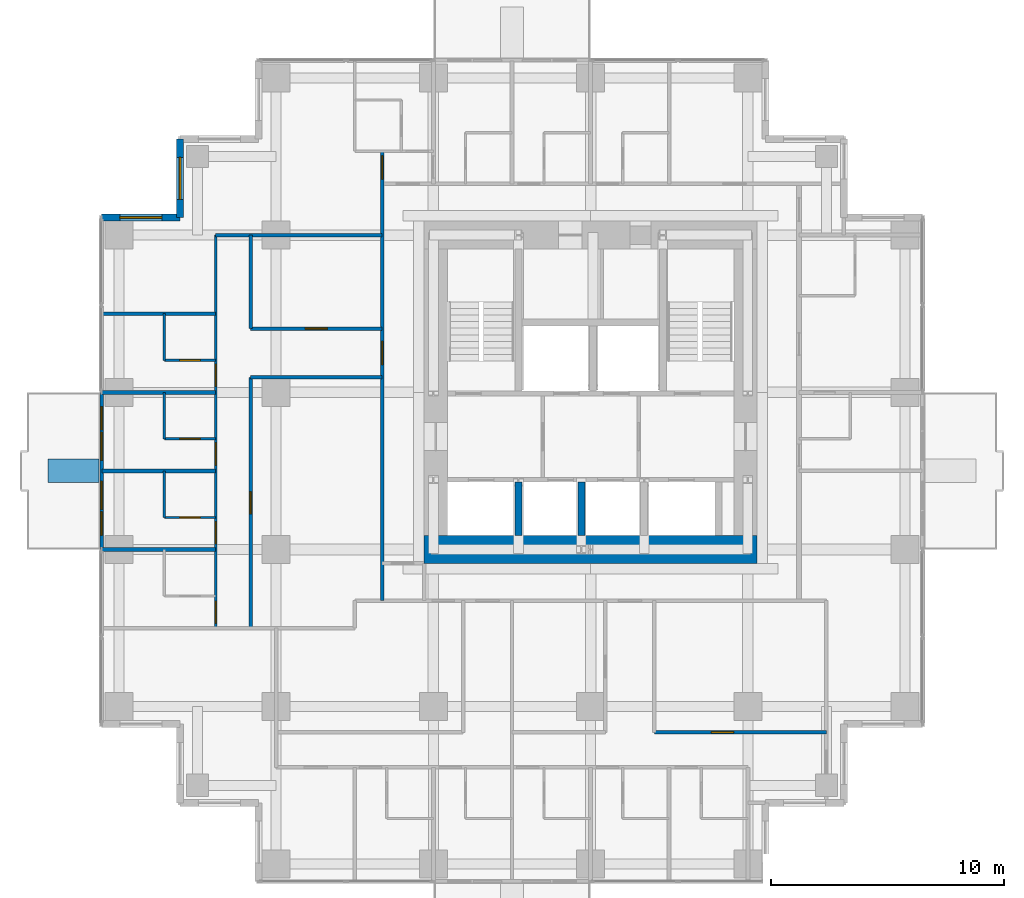
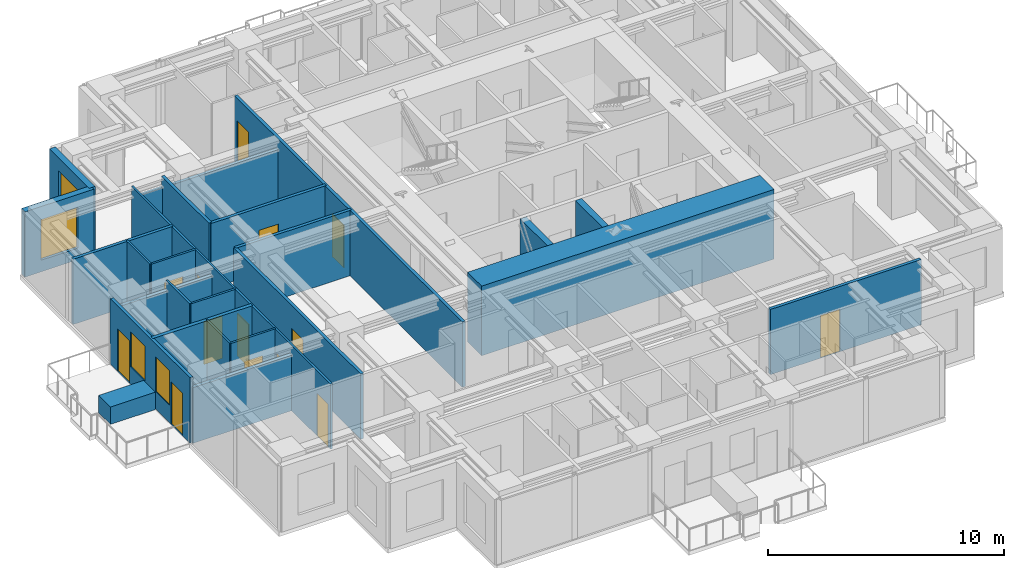
# One storey, part 6 of 10: 25 walls, 14 doors, 4 windows, 18 openings.
"""IFC4 building model written with IfcOpenShell, lengths in metres."""

from ifc_helpers import new_model, si_unit, direction, frame, frame_2d, origin, place, context, subcontext, project, spatial, rectangle, extrude, material, layer, layer_set, type_object, element, fill, save


model = new_model("IFC4")

# Units and contexts
model_context = context("Model", 3, precision=1e-05, world=origin(), true_north=direction((0.0, 1.0)))
body_context = subcontext(model_context, "Body", "Model", "MODEL_VIEW")
ifc_project = project(units=[si_unit("LENGTHUNIT", "METRE"), si_unit("AREAUNIT", "SQUARE_METRE"), si_unit("VOLUMEUNIT", "CUBIC_METRE"), si_unit("PLANEANGLEUNIT", "RADIAN"), si_unit("MASSUNIT", "GRAM", prefix="KILO")], contexts=[model_context])

# Site, building, storey
site_placement = place(None, origin())
site = spatial("IfcSite", under=ifc_project, at=site_placement, CompositionType="ELEMENT")
building_placement = place(site_placement, origin())
building = spatial("IfcBuilding", under=site, at=building_placement, Name="Nyansa Garden Tower", CompositionType="ELEMENT")
storey_placement = place(building_placement, frame((0.0, 0.0, 185.39990234375)))
storey = spatial("IfcBuildingStorey", under=building, at=storey_placement, Name="L50", CompositionType="ELEMENT", Elevation=185.39990234375)

# Walls
ifc_material_1 = material(Name="Dense blockwork, plastered both sides, 55 dB", Category="masonry")
ifc_layer_1 = layer(ifc_material_1, 0.175048828125)
ifc_layer_set_1 = layer_set([ifc_layer_1], Name="Acoustic party wall PW175")
wall_type_1 = type_object("IfcWallType", Name="Acoustic party wall PW175", PredefinedType="PARTITIONING", material=ifc_layer_set_1)
wall_1_placement = place(storey_placement, frame((-0.73388671875, 13.5, 0.0), z_axis=(0.0, 0.0, 1.0), x_axis=(1.0, 0.0, 0.0)))
element("IfcWall", 1, at=wall_1_placement, inside=storey, type_object=wall_type_1, Name="Party wall", PredefinedType="PARTITIONING", context=body_context, shape_type="SweptSolid", body=[
    extrude(rectangle(XDim=4.8837890625, YDim=0.175048828125, at=frame_2d((2.44189453125, 0.0))), origin(), (0.0, 0.0, 1.0), 2.877197265625),
])
wall_2_placement = place(storey_placement, frame((-0.73388671875, 16.875, 0.0), z_axis=(0.0, 0.0, 1.0), x_axis=(1.0, 0.0, 0.0)))
element("IfcWall", 2, at=wall_2_placement, inside=storey, type_object=wall_type_1, Name="Party wall", PredefinedType="PARTITIONING", context=body_context, shape_type="SweptSolid", body=[
    extrude(rectangle(XDim=4.8837890625, YDim=0.175048828125, at=frame_2d((2.44189453125, 0.0))), origin(), (0.0, 0.0, 1.0), 3.375),
])
wall_3_placement = place(storey_placement, frame((-0.73388671875, 20.25, 0.0), z_axis=(0.0, 0.0, 1.0), x_axis=(1.0, 0.0, 0.0)))
element("IfcWall", 3, at=wall_3_placement, inside=storey, type_object=wall_type_1, Name="Party wall", PredefinedType="PARTITIONING", context=body_context, shape_type="SweptSolid", body=[
    extrude(rectangle(XDim=4.8837890625, YDim=0.175048828125, at=frame_2d((2.44189453125, 0.0))), origin(), (0.0, 0.0, 1.0), 2.877197265625),
])

# Wall, openings, doors, windows
ifc_material_2 = material(Name="Black aluminium framed glazed screen", Category="aluminium")
ifc_layer_2 = layer(ifc_material_2, 0.14990234375)
ifc_layer_set_2 = layer_set([ifc_layer_2], Name="Balcony screen wall BW150")
wall_type_2 = type_object("IfcWallType", Name="Balcony screen wall BW150", PredefinedType="SOLIDWALL", material=ifc_layer_set_2)
wall_4_placement = place(storey_placement, frame((-0.75, 13.5, 0.0), z_axis=(0.0, 0.0, 1.0), x_axis=(0.0, 1.0, 0.0)))
wall_4 = element("IfcWall", 4, at=wall_4_placement, inside=storey, type_object=wall_type_2, Name="Glazed screen wall L50 W", PredefinedType="SOLIDWALL", context=body_context, shape_type="SweptSolid", body=[
    extrude(rectangle(XDim=6.75, YDim=0.14990234375, at=frame_2d((3.375, 0.0))), origin(), (0.0, 0.0, 1.0), 3.375),
])
opening_1_placement = place(wall_4_placement, frame((0.612548828125, 0.0, 0.0)))
opening_1 = element("IfcOpeningElement", 5, at=opening_1_placement, cuts=wall_4, Name="Opening D20", PredefinedType="OPENING", context=body_context, shape_type="SweptSolid", body=[
    extrude(rectangle(XDim=1.0, YDim=2.199951171875, at=frame_2d((0.5, 1.10009765625))), frame((0.0, 0.0849609375, 0.0), z_axis=(0.0, -1.0, 0.0), x_axis=(1.0, 0.0, 0.0)), (0.0, 0.0, 1.0), 0.169921875),
])
opening_2_placement = place(wall_4_placement, frame((1.72509765625, 0.0, 0.89990234375)))
opening_2 = element("IfcOpeningElement", 6, at=opening_2_placement, cuts=wall_4, Name="Opening W6", PredefinedType="OPENING", context=body_context, shape_type="SweptSolid", body=[
    extrude(rectangle(XDim=1.199951171875, YDim=1.800048828125, at=frame_2d((0.60009765625, 0.89990234375))), frame((0.0, 0.0849609375, 0.0), z_axis=(0.0, -1.0, 0.0), x_axis=(1.0, 0.0, 0.0)), (0.0, 0.0, 1.0), 0.169921875),
])
opening_3_placement = place(wall_4_placement, frame((5.137451171875, 0.0, 0.0)))
opening_3 = element("IfcOpeningElement", 7, at=opening_3_placement, cuts=wall_4, Name="Opening D20", PredefinedType="OPENING", context=body_context, shape_type="SweptSolid", body=[
    extrude(rectangle(XDim=1.0, YDim=2.199951171875, at=frame_2d((0.5, 1.10009765625))), frame((0.0, 0.0849609375, 0.0), z_axis=(0.0, -1.0, 0.0), x_axis=(1.0, 0.0, 0.0)), (0.0, 0.0, 1.0), 0.169921875),
])
opening_4_placement = place(wall_4_placement, frame((3.824951171875, 0.0, 0.89990234375)))
opening_4 = element("IfcOpeningElement", 8, at=opening_4_placement, cuts=wall_4, Name="Opening W6", PredefinedType="OPENING", context=body_context, shape_type="SweptSolid", body=[
    extrude(rectangle(XDim=1.199951171875, YDim=1.800048828125, at=frame_2d((0.60009765625, 0.89990234375))), frame((0.0, 0.0849609375, 0.0), z_axis=(0.0, -1.0, 0.0), x_axis=(1.0, 0.0, 0.0)), (0.0, 0.0, 1.0), 0.169921875),
])
ifc_material_3 = material(Name="Black aluminium framed glazed door", Category="aluminium")
door_type_1 = type_object("IfcDoorType", Name="Balcony door D20 1000x2200", OperationType="NOTDEFINED", PredefinedType="DOOR", material=ifc_material_3)
door_1_placement = place(opening_1_placement, origin())
door_1 = element("IfcDoor", 9, at=door_1_placement, inside=storey, type_object=door_type_1, Name="Balcony door L50", OperationType="SINGLE_SWING_LEFT", OverallHeight=2.199951171875, OverallWidth=1.0, PredefinedType="DOOR", context=body_context, shape_type="SweptSolid", body=[
    extrude(rectangle(XDim=1.0, YDim=2.199951171875, at=frame_2d((0.5, 1.10009765625))), frame((0.0, 0.02490234375, 0.0), z_axis=(0.0, -1.0, 0.0), x_axis=(1.0, 0.0, 0.0)), (0.0, 0.0, 1.0), 0.050048828125),
])
fill(opening_1, door_1)
door_2_placement = place(opening_3_placement, origin())
door_2 = element("IfcDoor", 10, at=door_2_placement, inside=storey, type_object=door_type_1, Name="Balcony door L50", OperationType="SINGLE_SWING_RIGHT", OverallHeight=2.199951171875, OverallWidth=1.0, PredefinedType="DOOR", context=body_context, shape_type="SweptSolid", body=[
    extrude(rectangle(XDim=1.0, YDim=2.199951171875, at=frame_2d((0.5, 1.10009765625))), frame((0.0, 0.02490234375, 0.0), z_axis=(0.0, -1.0, 0.0), x_axis=(1.0, 0.0, 0.0)), (0.0, 0.0, 1.0), 0.050048828125),
])
fill(opening_3, door_2)
ifc_material_4 = material(Name="Black aluminium frame, dark tinted double glazing", Category="aluminium")
window_type_1 = type_object("IfcWindowType", Name="Balcony window W6 1200x1800", PartitioningType="SINGLE_PANEL", PredefinedType="WINDOW", material=ifc_material_4)
window_1_placement = place(opening_2_placement, origin())
window_1 = element("IfcWindow", 11, at=window_1_placement, inside=storey, type_object=window_type_1, Name="Window L50", OverallHeight=1.800048828125, OverallWidth=1.199951171875, PartitioningType="SINGLE_PANEL", PredefinedType="WINDOW", context=body_context, shape_type="SweptSolid", body=[
    extrude(rectangle(XDim=1.199951171875, YDim=1.800048828125, at=frame_2d((0.60009765625, 0.89990234375))), frame((0.0, 0.030029296875, 0.0), z_axis=(0.0, -1.0, 0.0), x_axis=(1.0, 0.0, 0.0)), (0.0, 0.0, 1.0), 0.06005859375),
])
fill(opening_2, window_1)
window_2_placement = place(opening_4_placement, origin())
window_2 = element("IfcWindow", 12, at=window_2_placement, inside=storey, type_object=window_type_1, Name="Window L50", OverallHeight=1.800048828125, OverallWidth=1.199951171875, PartitioningType="SINGLE_PANEL", PredefinedType="WINDOW", context=body_context, shape_type="SweptSolid", body=[
    extrude(rectangle(XDim=1.199951171875, YDim=1.800048828125, at=frame_2d((0.60009765625, 0.89990234375))), frame((0.0, 0.030029296875, 0.0), z_axis=(0.0, -1.0, 0.0), x_axis=(1.0, 0.0, 0.0)), (0.0, 0.0, 1.0), 0.06005859375),
])
fill(opening_4, window_2)

# Walls
ifc_material_5 = material(Name="Concrete C70/85", Category="concrete")
ifc_layer_3 = layer(ifc_material_5, 0.300048828125)
ifc_layer_set_3 = layer_set([ifc_layer_3], Name="Core inner wall CI300")
wall_type_3 = type_object("IfcWallType", Name="Core inner wall CI300", PredefinedType="SHEAR", material=ifc_layer_set_3)
for number, where, z_axis, x_axis, name in (
    (13, (17.14990234375, 14.10009765625, 0.0), (0.0, 0.0, 1.0), (0.0, 1.0, 0.0), "Core inner wall L50"),
    (14, (19.85009765625, 14.10009765625, 0.0), (0.0, 0.0, 1.0), (0.0, 1.0, 0.0), "Core inner wall L50"),
):
    element("IfcWall", number, at=place(storey_placement, frame(where, z_axis=z_axis, x_axis=x_axis)), inside=storey, type_object=wall_type_3, Name=name, PredefinedType="SHEAR", context=body_context, shape_type="SweptSolid", body=[
        extrude(rectangle(XDim=2.2998046875, YDim=0.300048828125, at=frame_2d((1.14990234375, 0.0))), origin(), (0.0, 0.0, 1.0), 3.60009765625),
    ])
ifc_material_6 = material(Name="Concrete C80/95", Category="concrete")
ifc_layer_4 = layer(ifc_material_6, 1.199951171875)
ifc_layer_set_4 = layer_set([ifc_layer_4], Name="Core wall CW1200")
wall_type_4 = type_object("IfcWallType", Name="Core wall CW1200", PredefinedType="SHEAR", material=ifc_layer_set_4)
wall_5_placement = place(storey_placement, frame((13.10009765625, 13.5, 0.0), z_axis=(0.0, 0.0, 1.0), x_axis=(1.0, 0.0, 0.0)))
element("IfcWall", 15, at=wall_5_placement, inside=storey, type_object=wall_type_4, Name="Core wall S L50", PredefinedType="SHEAR", context=body_context, shape_type="SweptSolid", body=[
    extrude(rectangle(XDim=14.2998046875, YDim=1.199951171875, at=frame_2d((7.14990234375, 0.0))), origin(), (0.0, 0.0, 1.0), 3.60009765625),
])
ifc_material_7 = material(Name="Blockwork, plastered both sides", Category="masonry")
ifc_layer_5 = layer(ifc_material_7, 0.14990234375)
ifc_layer_set_5 = layer_set([ifc_layer_5], Name="Partition PW150")
wall_type_5 = type_object("IfcWallType", Name="Partition PW150", PredefinedType="PARTITIONING", material=ifc_layer_set_5)
wall_6_placement = place(storey_placement, frame((-0.73388671875, 23.625, 0.0), z_axis=(0.0, 0.0, 1.0), x_axis=(1.0, 0.0, 0.0)))
element("IfcWall", 16, at=wall_6_placement, inside=storey, type_object=wall_type_5, Name="Partition", PredefinedType="PARTITIONING", context=body_context, shape_type="SweptSolid", body=[
    extrude(rectangle(XDim=4.8837890625, YDim=0.14990234375, at=frame_2d((2.44189453125, 0.0))), origin(), (0.0, 0.0, 1.0), 3.375),
])
wall_7_placement = place(storey_placement, frame((4.14990234375, 27.0, 0.0), z_axis=(0.0, 0.0, 1.0), x_axis=(1.0, 0.0, 0.0)))
element("IfcWall", 17, at=wall_7_placement, inside=storey, type_object=wall_type_5, Name="Partition", PredefinedType="PARTITIONING", context=body_context, shape_type="SweptSolid", body=[
    extrude(rectangle(XDim=7.150146484375, YDim=0.14990234375, at=frame_2d((3.5751953125, 0.0))), origin(), (0.0, 0.0, 1.0), 2.80615234375),
])

# Wall, opening, door
wall_8_placement = place(storey_placement, frame((5.64990234375, 10.125, 0.0), z_axis=(0.0, 0.0, 1.0), x_axis=(0.0, 1.0, 0.0)))
wall_8 = element("IfcWall", 18, at=wall_8_placement, inside=storey, type_object=wall_type_5, Name="Partition", PredefinedType="PARTITIONING", context=body_context, shape_type="SweptSolid", body=[
    extrude(rectangle(XDim=10.762451171875, YDim=0.14990234375, at=frame_2d((5.38134765625, 0.0))), origin(), (0.0, 0.0, 1.0), 3.375),
])
opening_5_placement = place(wall_8_placement, frame((4.89990234375, 0.0, 0.0)))
opening_5 = element("IfcOpeningElement", 19, at=opening_5_placement, cuts=wall_8, Name="Opening D01", PredefinedType="OPENING", context=body_context, shape_type="SweptSolid", body=[
    extrude(rectangle(XDim=0.949951171875, YDim=2.199951171875, at=frame_2d((0.47509765625, 1.10009765625))), frame((0.0, 0.0849609375, 0.0), z_axis=(0.0, -1.0, 0.0), x_axis=(1.0, 0.0, 0.0)), (0.0, 0.0, 1.0), 0.169921875),
])
ifc_material_8 = material(Name="Timber flush door, 30 minute fire resisting", Category="wood")
door_type_2 = type_object("IfcDoorType", Name="Bedroom door D01 950x2200", OperationType="SINGLE_SWING_LEFT", PredefinedType="DOOR", material=ifc_material_8)
door_3_placement = place(opening_5_placement, origin())
door_3 = element("IfcDoor", 20, at=door_3_placement, inside=storey, type_object=door_type_2, Name="Door L50-059", OperationType="SINGLE_SWING_LEFT", OverallHeight=2.199951171875, OverallWidth=0.949951171875, PredefinedType="DOOR", context=body_context, shape_type="SweptSolid", body=[
    extrude(rectangle(XDim=0.949951171875, YDim=2.199951171875, at=frame_2d((0.47509765625, 1.10009765625))), frame((0.0, 0.02490234375, 0.0), z_axis=(0.0, -1.0, 0.0), x_axis=(1.0, 0.0, 0.0)), (0.0, 0.0, 1.0), 0.050048828125),
])
fill(opening_5, door_3)

# Walls
wall_9_placement = place(storey_placement, frame((5.64990234375, 20.886962890625, 0.0), z_axis=(0.0, 0.0, 1.0), x_axis=(1.0, 0.0, 0.0)))
element("IfcWall", 21, at=wall_9_placement, inside=storey, type_object=wall_type_5, Name="Partition", PredefinedType="PARTITIONING", context=body_context, shape_type="SweptSolid", body=[
    extrude(rectangle(XDim=5.650146484375, YDim=0.14990234375, at=frame_2d((2.8251953125, 0.0))), origin(), (0.0, 0.0, 1.0), 3.375),
])
wall_10_placement = place(storey_placement, frame((5.64990234375, 22.987548828125, 0.0), z_axis=(0.0, 0.0, 1.0), x_axis=(0.0, 1.0, 0.0)))
element("IfcWall", 22, at=wall_10_placement, inside=storey, type_object=wall_type_5, Name="Partition", PredefinedType="PARTITIONING", context=body_context, shape_type="SweptSolid", body=[
    extrude(rectangle(XDim=4.012451171875, YDim=0.14990234375, at=frame_2d((2.00634765625, 0.0))), origin(), (0.0, 0.0, 1.0), 3.375),
])

# Wall, opening, door
wall_11_placement = place(storey_placement, frame((5.64990234375, 22.988037109375, 0.0), z_axis=(0.0, 0.0, 1.0), x_axis=(1.0, 0.0, 0.0)))
wall_11 = element("IfcWall", 23, at=wall_11_placement, inside=storey, type_object=wall_type_5, Name="Partition", PredefinedType="PARTITIONING", context=body_context, shape_type="SweptSolid", body=[
    extrude(rectangle(XDim=5.650146484375, YDim=0.14990234375, at=frame_2d((2.8251953125, 0.0))), origin(), (0.0, 0.0, 1.0), 3.375),
])
opening_6_placement = place(wall_11_placement, frame((2.35009765625, 0.0, 0.0)))
opening_6 = element("IfcOpeningElement", 24, at=opening_6_placement, cuts=wall_11, Name="Opening D01", PredefinedType="OPENING", context=body_context, shape_type="SweptSolid", body=[
    extrude(rectangle(XDim=0.949951171875, YDim=2.199951171875, at=frame_2d((0.47509765625, 1.10009765625))), frame((0.0, 0.0849609375, 0.0), z_axis=(0.0, -1.0, 0.0), x_axis=(1.0, 0.0, 0.0)), (0.0, 0.0, 1.0), 0.169921875),
])
door_4_placement = place(opening_6_placement, origin())
door_4 = element("IfcDoor", 25, at=door_4_placement, inside=storey, type_object=door_type_2, Name="Door L50-060", OperationType="SINGLE_SWING_LEFT", OverallHeight=2.199951171875, OverallWidth=0.949951171875, PredefinedType="DOOR", context=body_context, shape_type="SweptSolid", body=[
    extrude(rectangle(XDim=0.949951171875, YDim=2.199951171875, at=frame_2d((0.47509765625, 1.10009765625))), frame((0.0, 0.02490234375, 0.0), z_axis=(0.0, -1.0, 0.0), x_axis=(1.0, 0.0, 0.0)), (0.0, 0.0, 1.0), 0.050048828125),
])
fill(opening_6, door_4)

# Wall, openings, doors
wall_12_placement = place(storey_placement, frame((11.300048828125, 11.300048828125, 0.0), z_axis=(0.0, 0.0, 1.0), x_axis=(0.0, 1.0, 0.0)))
wall_12 = element("IfcWall", 26, at=wall_12_placement, inside=storey, type_object=wall_type_5, Name="Partition", PredefinedType="PARTITIONING", context=body_context, shape_type="SweptSolid", body=[
    extrude(rectangle(XDim=19.300048828125, YDim=0.14990234375, at=frame_2d((9.64990234375, 0.0))), origin(), (0.0, 0.0, 1.0), 3.375),
])
opening_7_placement = place(wall_12_placement, frame((18.10009765625, 0.0, 0.0)))
opening_7 = element("IfcOpeningElement", 27, at=opening_7_placement, cuts=wall_12, Name="Opening D03", PredefinedType="OPENING", context=body_context, shape_type="SweptSolid", body=[
    extrude(rectangle(XDim=1.0, YDim=2.199951171875, at=frame_2d((0.5, 1.10009765625))), frame((0.0, 0.0849609375, 0.0), z_axis=(0.0, -1.0, 0.0), x_axis=(1.0, 0.0, 0.0)), (0.0, 0.0, 1.0), 0.169921875),
])
opening_8_placement = place(wall_12_placement, frame((10.137451171875, 0.0, 0.0)))
opening_8 = element("IfcOpeningElement", 28, at=opening_8_placement, cuts=wall_12, Name="Opening D03", PredefinedType="OPENING", context=body_context, shape_type="SweptSolid", body=[
    extrude(rectangle(XDim=1.0, YDim=2.199951171875, at=frame_2d((0.5, 1.10009765625))), frame((0.0, 0.0849609375, 0.0), z_axis=(0.0, -1.0, 0.0), x_axis=(1.0, 0.0, 0.0)), (0.0, 0.0, 1.0), 0.169921875),
])
ifc_material_9 = material(Name="Timber flush door, 60 minute fire resisting", Category="wood")
door_type_3 = type_object("IfcDoorType", Name="Cluster entrance door D03 1000x2200", OperationType="SINGLE_SWING_LEFT", PredefinedType="DOOR", material=ifc_material_9)
door_5_placement = place(opening_7_placement, origin())
door_5 = element("IfcDoor", 29, at=door_5_placement, inside=storey, type_object=door_type_3, Name="Door L50-049", OperationType="SINGLE_SWING_LEFT", OverallHeight=2.199951171875, OverallWidth=1.0, PredefinedType="DOOR", context=body_context, shape_type="SweptSolid", body=[
    extrude(rectangle(XDim=1.0, YDim=2.199951171875, at=frame_2d((0.5, 1.10009765625))), frame((0.0, 0.02490234375, 0.0), z_axis=(0.0, -1.0, 0.0), x_axis=(1.0, 0.0, 0.0)), (0.0, 0.0, 1.0), 0.050048828125),
])
fill(opening_7, door_5)
door_6_placement = place(opening_8_placement, origin())
door_6 = element("IfcDoor", 30, at=door_6_placement, inside=storey, type_object=door_type_3, Name="Door L50-058", OperationType="SINGLE_SWING_LEFT", OverallHeight=2.199951171875, OverallWidth=1.0, PredefinedType="DOOR", context=body_context, shape_type="SweptSolid", body=[
    extrude(rectangle(XDim=1.0, YDim=2.199951171875, at=frame_2d((0.5, 1.10009765625))), frame((0.0, 0.02490234375, 0.0), z_axis=(0.0, -1.0, 0.0), x_axis=(1.0, 0.0, 0.0)), (0.0, 0.0, 1.0), 0.050048828125),
])
fill(opening_8, door_6)

# Wall, opening, door
wall_13_placement = place(storey_placement, frame((22.987548828125, 5.64990234375, 0.0), z_axis=(0.0, 0.0, 1.0), x_axis=(1.0, 0.0, 0.0)))
wall_13 = element("IfcWall", 31, at=wall_13_placement, inside=storey, type_object=wall_type_5, Name="Partition", PredefinedType="PARTITIONING", context=body_context, shape_type="SweptSolid", body=[
    extrude(rectangle(XDim=7.387451171875, YDim=0.14990234375, at=frame_2d((3.69384765625, 0.0))), origin(), (0.0, 0.0, 1.0), 3.375),
])
opening_9_placement = place(wall_13_placement, frame((2.449951171875, 0.0, 0.0)))
opening_9 = element("IfcOpeningElement", 32, at=opening_9_placement, cuts=wall_13, Name="Opening D01", PredefinedType="OPENING", context=body_context, shape_type="SweptSolid", body=[
    extrude(rectangle(XDim=0.949951171875, YDim=2.199951171875, at=frame_2d((0.47509765625, 1.10009765625))), frame((0.0, 0.0849609375, 0.0), z_axis=(0.0, -1.0, 0.0), x_axis=(1.0, 0.0, 0.0)), (0.0, 0.0, 1.0), 0.169921875),
])
door_7_placement = place(opening_9_placement, origin())
door_7 = element("IfcDoor", 33, at=door_7_placement, inside=storey, type_object=door_type_2, Name="Door L50-032", OperationType="SINGLE_SWING_LEFT", OverallHeight=2.199951171875, OverallWidth=0.949951171875, PredefinedType="DOOR", context=body_context, shape_type="SweptSolid", body=[
    extrude(rectangle(XDim=0.949951171875, YDim=2.199951171875, at=frame_2d((0.47509765625, 1.10009765625))), frame((0.0, 0.02490234375, 0.0), z_axis=(0.0, -1.0, 0.0), x_axis=(1.0, 0.0, 0.0)), (0.0, 0.0, 1.0), 0.050048828125),
])
fill(opening_9, door_7)

# Wall, opening, window
ifc_material_10 = material(Name="Turquoise glazed tile on concrete blockwork", Category="masonry")
ifc_layer_6 = layer(ifc_material_10, 0.300048828125)
ifc_layer_set_6 = layer_set([ifc_layer_6], Name="Tiled corner wall TW300")
wall_type_6 = type_object("IfcWallType", Name="Tiled corner wall TW300", PredefinedType="SOLIDWALL", material=ifc_layer_set_6)
wall_14_placement = place(storey_placement, frame((2.625, 31.125, 0.0), z_axis=(0.0, 0.0, 1.0), x_axis=(0.0, -1.0, 0.0)))
wall_14 = element("IfcWall", 34, at=wall_14_placement, inside=storey, type_object=wall_type_6, Name="Tiled corner wall L50", PredefinedType="SOLIDWALL", context=body_context, shape_type="SweptSolid", body=[
    extrude(rectangle(XDim=3.375, YDim=0.300048828125, at=frame_2d((1.6875, 0.0))), origin(), (0.0, 0.0, 1.0), 3.375),
])
opening_10_placement = place(wall_14_placement, frame((0.78759765625, 0.0, 0.60009765625)))
opening_10 = element("IfcOpeningElement", 35, at=opening_10_placement, cuts=wall_14, Name="Opening W2", PredefinedType="OPENING", context=body_context, shape_type="SweptSolid", body=[
    extrude(rectangle(XDim=1.800048828125, YDim=2.10009765625, at=frame_2d((0.89990234375, 1.050048828125))), frame((0.0, 0.159912109375, 0.0), z_axis=(0.0, -1.0, 0.0), x_axis=(1.0, 0.0, 0.0)), (0.0, 0.0, 1.0), 0.320068359375),
])
ifc_material_11 = material(Name="Black aluminium frame, dark tinted double glazing", Category="aluminium")
window_type_2 = type_object("IfcWindowType", Name="Window W2 1800x2100", PartitioningType="SINGLE_PANEL", PredefinedType="WINDOW", material=ifc_material_11)
window_3_placement = place(opening_10_placement, origin())
window_3 = element("IfcWindow", 36, at=window_3_placement, inside=storey, type_object=window_type_2, Name="Corner window L50", OverallHeight=2.10009765625, OverallWidth=1.800048828125, PartitioningType="SINGLE_PANEL", PredefinedType="WINDOW", context=body_context, shape_type="SweptSolid", body=[
    extrude(rectangle(XDim=1.800048828125, YDim=2.10009765625, at=frame_2d((0.89990234375, 1.050048828125))), frame((0.0, 0.030029296875, 0.0), z_axis=(0.0, -1.0, 0.0), x_axis=(1.0, 0.0, 0.0)), (0.0, 0.0, 1.0), 0.06005859375),
])
fill(opening_10, window_3)

wall_15_placement = place(storey_placement, frame((2.625, 27.75, 0.0), z_axis=(0.0, 0.0, 1.0), x_axis=(-1.0, 0.0, 0.0)))
wall_15 = element("IfcWall", 37, at=wall_15_placement, inside=storey, type_object=wall_type_6, Name="Tiled corner wall L50", PredefinedType="SOLIDWALL", context=body_context, shape_type="SweptSolid", body=[
    extrude(rectangle(XDim=3.375, YDim=0.300048828125, at=frame_2d((1.6875, 0.0))), origin(), (0.0, 0.0, 1.0), 3.375),
])
opening_11_placement = place(wall_15_placement, frame((0.78759765625, 0.0, 0.60009765625)))
opening_11 = element("IfcOpeningElement", 38, at=opening_11_placement, cuts=wall_15, Name="Opening W2", PredefinedType="OPENING", context=body_context, shape_type="SweptSolid", body=[
    extrude(rectangle(XDim=1.800048828125, YDim=2.10009765625, at=frame_2d((0.89990234375, 1.050048828125))), frame((0.0, 0.159912109375, 0.0), z_axis=(0.0, -1.0, 0.0), x_axis=(1.0, 0.0, 0.0)), (0.0, 0.0, 1.0), 0.320068359375),
])
window_4_placement = place(opening_11_placement, origin())
window_4 = element("IfcWindow", 39, at=window_4_placement, inside=storey, type_object=window_type_2, Name="Corner window L50", OverallHeight=2.10009765625, OverallWidth=1.800048828125, PartitioningType="SINGLE_PANEL", PredefinedType="WINDOW", context=body_context, shape_type="SweptSolid", body=[
    extrude(rectangle(XDim=1.800048828125, YDim=2.10009765625, at=frame_2d((0.89990234375, 1.050048828125))), frame((0.0, 0.030029296875, 0.0), z_axis=(0.0, -1.0, 0.0), x_axis=(1.0, 0.0, 0.0)), (0.0, 0.0, 1.0), 0.06005859375),
])
fill(opening_11, window_4)

# Walls
ifc_material_12 = material(Name="Concrete C40/50 planter, waterproofed", Category="concrete")
ifc_layer_7 = layer(ifc_material_12, 1.0)
ifc_layer_set_7 = layer_set([ifc_layer_7], Name="Tree planter TP1")
wall_type_7 = type_object("IfcWallType", Name="Tree planter TP1", PredefinedType="USERDEFINED", material=ifc_layer_set_7)
wall_16_placement = place(storey_placement, frame((-0.85009765625, 16.875, 0.0), z_axis=(0.0, 0.0, 1.0), x_axis=(-1.0, 0.0, 0.0)))
element("IfcWall", 40, at=wall_16_placement, inside=storey, type_object=wall_type_7, Name="Tree planter L50", ObjectType="TREE PLANTER", PredefinedType="USERDEFINED", context=body_context, shape_type="SweptSolid", body=[
    extrude(rectangle(XDim=2.199951171875, YDim=1.0, at=frame_2d((1.10009765625, 0.0))), origin(), (0.0, 0.0, 1.0), 0.900146484375),
])
ifc_material_13 = material(Name="Moisture resistant board on steel studs, tiled", Category="steel")
ifc_layer_8 = layer(ifc_material_13, 0.10009765625)
ifc_layer_set_8 = layer_set([ifc_layer_8], Name="Wet wall PW100")
wall_type_8 = type_object("IfcWallType", Name="Wet wall PW100", PredefinedType="PARTITIONING", material=ifc_layer_set_8)
wall_17_placement = place(storey_placement, frame((1.949951171875, 14.875, 0.0), z_axis=(0.0, 0.0, 1.0), x_axis=(0.0, 1.0, 0.0)))
element("IfcWall", 41, at=wall_17_placement, inside=storey, type_object=wall_type_8, Name="Wet wall", PredefinedType="PARTITIONING", context=body_context, shape_type="SweptSolid", body=[
    extrude(rectangle(XDim=2.0, YDim=0.10009765625, at=frame_2d((1.0, 0.0))), origin(), (0.0, 0.0, 1.0), 3.375),
])

# Wall, opening, door
wall_18_placement = place(storey_placement, frame((1.949951171875, 14.875, 0.0), z_axis=(0.0, 0.0, 1.0), x_axis=(1.0, 0.0, 0.0)))
wall_18 = element("IfcWall", 42, at=wall_18_placement, inside=storey, type_object=wall_type_8, Name="Wet wall", PredefinedType="PARTITIONING", context=body_context, shape_type="SweptSolid", body=[
    extrude(rectangle(XDim=2.199951171875, YDim=0.10009765625, at=frame_2d((1.10009765625, 0.0))), origin(), (0.0, 0.0, 1.0), 3.375),
])
opening_12_placement = place(wall_18_placement, frame((0.64990234375, 0.0, 0.0)))
opening_12 = element("IfcOpeningElement", 43, at=opening_12_placement, cuts=wall_18, Name="Opening D02", PredefinedType="OPENING", context=body_context, shape_type="SweptSolid", body=[
    extrude(rectangle(XDim=0.89990234375, YDim=2.199951171875, at=frame_2d((0.449951171875, 1.10009765625))), frame((0.0, 0.06005859375, 0.0), z_axis=(0.0, -1.0, 0.0), x_axis=(1.0, 0.0, 0.0)), (0.0, 0.0, 1.0), 0.1201171875),
])
ifc_material_14 = material(Name="Timber flush door", Category="wood")
door_type_4 = type_object("IfcDoorType", Name="En-suite door D02 900x2200", OperationType="SINGLE_SWING_RIGHT", PredefinedType="DOOR", material=ifc_material_14)
door_8_placement = place(opening_12_placement, origin())
door_8 = element("IfcDoor", 44, at=door_8_placement, inside=storey, type_object=door_type_4, Name="Door L50-053", OperationType="SINGLE_SWING_RIGHT", OverallHeight=2.199951171875, OverallWidth=0.89990234375, PredefinedType="DOOR", context=body_context, shape_type="SweptSolid", body=[
    extrude(rectangle(XDim=0.89990234375, YDim=2.199951171875, at=frame_2d((0.449951171875, 1.10009765625))), frame((0.0, 0.02490234375, 0.0), z_axis=(0.0, -1.0, 0.0), x_axis=(1.0, 0.0, 0.0)), (0.0, 0.0, 1.0), 0.050048828125),
])
fill(opening_12, door_8)

# Wall
wall_19_placement = place(storey_placement, frame((1.949951171875, 18.25, 0.0), z_axis=(0.0, 0.0, 1.0), x_axis=(0.0, 1.0, 0.0)))
element("IfcWall", 45, at=wall_19_placement, inside=storey, type_object=wall_type_8, Name="Wet wall", PredefinedType="PARTITIONING", context=body_context, shape_type="SweptSolid", body=[
    extrude(rectangle(XDim=2.0, YDim=0.10009765625, at=frame_2d((1.0, 0.0))), origin(), (0.0, 0.0, 1.0), 3.375),
])

# Wall, opening, door
wall_20_placement = place(storey_placement, frame((1.949951171875, 18.25, 0.0), z_axis=(0.0, 0.0, 1.0), x_axis=(1.0, 0.0, 0.0)))
wall_20 = element("IfcWall", 46, at=wall_20_placement, inside=storey, type_object=wall_type_8, Name="Wet wall", PredefinedType="PARTITIONING", context=body_context, shape_type="SweptSolid", body=[
    extrude(rectangle(XDim=2.199951171875, YDim=0.10009765625, at=frame_2d((1.10009765625, 0.0))), origin(), (0.0, 0.0, 1.0), 3.375),
])
opening_13_placement = place(wall_20_placement, frame((0.64990234375, 0.0, 0.0)))
opening_13 = element("IfcOpeningElement", 47, at=opening_13_placement, cuts=wall_20, Name="Opening D02", PredefinedType="OPENING", context=body_context, shape_type="SweptSolid", body=[
    extrude(rectangle(XDim=0.89990234375, YDim=2.199951171875, at=frame_2d((0.449951171875, 1.10009765625))), frame((0.0, 0.06005859375, 0.0), z_axis=(0.0, -1.0, 0.0), x_axis=(1.0, 0.0, 0.0)), (0.0, 0.0, 1.0), 0.1201171875),
])
door_9_placement = place(opening_13_placement, origin())
door_9 = element("IfcDoor", 48, at=door_9_placement, inside=storey, type_object=door_type_4, Name="Door L50-055", OperationType="SINGLE_SWING_RIGHT", OverallHeight=2.199951171875, OverallWidth=0.89990234375, PredefinedType="DOOR", context=body_context, shape_type="SweptSolid", body=[
    extrude(rectangle(XDim=0.89990234375, YDim=2.199951171875, at=frame_2d((0.449951171875, 1.10009765625))), frame((0.0, 0.02490234375, 0.0), z_axis=(0.0, -1.0, 0.0), x_axis=(1.0, 0.0, 0.0)), (0.0, 0.0, 1.0), 0.050048828125),
])
fill(opening_13, door_9)

# Wall
wall_21_placement = place(storey_placement, frame((1.949951171875, 21.625, 0.0), z_axis=(0.0, 0.0, 1.0), x_axis=(0.0, 1.0, 0.0)))
element("IfcWall", 49, at=wall_21_placement, inside=storey, type_object=wall_type_8, Name="Wet wall", PredefinedType="PARTITIONING", context=body_context, shape_type="SweptSolid", body=[
    extrude(rectangle(XDim=2.0, YDim=0.10009765625, at=frame_2d((1.0, 0.0))), origin(), (0.0, 0.0, 1.0), 3.375),
])

# Wall, opening, door
wall_22_placement = place(storey_placement, frame((1.949951171875, 21.625, 0.0), z_axis=(0.0, 0.0, 1.0), x_axis=(1.0, 0.0, 0.0)))
wall_22 = element("IfcWall", 50, at=wall_22_placement, inside=storey, type_object=wall_type_8, Name="Wet wall", PredefinedType="PARTITIONING", context=body_context, shape_type="SweptSolid", body=[
    extrude(rectangle(XDim=2.199951171875, YDim=0.10009765625, at=frame_2d((1.10009765625, 0.0))), origin(), (0.0, 0.0, 1.0), 3.375),
])
opening_14_placement = place(wall_22_placement, frame((0.64990234375, 0.0, 0.0)))
opening_14 = element("IfcOpeningElement", 51, at=opening_14_placement, cuts=wall_22, Name="Opening D02", PredefinedType="OPENING", context=body_context, shape_type="SweptSolid", body=[
    extrude(rectangle(XDim=0.89990234375, YDim=2.199951171875, at=frame_2d((0.449951171875, 1.10009765625))), frame((0.0, 0.06005859375, 0.0), z_axis=(0.0, -1.0, 0.0), x_axis=(1.0, 0.0, 0.0)), (0.0, 0.0, 1.0), 0.1201171875),
])
door_10_placement = place(opening_14_placement, origin())
door_10 = element("IfcDoor", 52, at=door_10_placement, inside=storey, type_object=door_type_4, Name="Door L50-057", OperationType="SINGLE_SWING_RIGHT", OverallHeight=2.199951171875, OverallWidth=0.89990234375, PredefinedType="DOOR", context=body_context, shape_type="SweptSolid", body=[
    extrude(rectangle(XDim=0.89990234375, YDim=2.199951171875, at=frame_2d((0.449951171875, 1.10009765625))), frame((0.0, 0.02490234375, 0.0), z_axis=(0.0, -1.0, 0.0), x_axis=(1.0, 0.0, 0.0)), (0.0, 0.0, 1.0), 0.050048828125),
])
fill(opening_14, door_10)

# Wall, openings, doors
wall_23_placement = place(storey_placement, frame((4.14990234375, 10.125, 0.0), z_axis=(0.0, 0.0, 1.0), x_axis=(0.0, 1.0, 0.0)))
wall_23 = element("IfcWall", 53, at=wall_23_placement, inside=storey, type_object=wall_type_8, Name="Wet wall", PredefinedType="PARTITIONING", context=body_context, shape_type="SweptSolid", body=[
    extrude(rectangle(XDim=16.875, YDim=0.10009765625, at=frame_2d((8.4375, 0.0))), origin(), (0.0, 0.0, 1.0), 3.375),
])
opening_15_placement = place(wall_23_placement, frame((0.199951171875, 0.0, 0.0)))
opening_15 = element("IfcOpeningElement", 54, at=opening_15_placement, cuts=wall_23, Name="Opening D14", PredefinedType="OPENING", context=body_context, shape_type="SweptSolid", body=[
    extrude(rectangle(XDim=0.949951171875, YDim=2.199951171875, at=frame_2d((0.47509765625, 1.10009765625))), frame((0.0, 0.06005859375, 0.0), z_axis=(0.0, -1.0, 0.0), x_axis=(1.0, 0.0, 0.0)), (0.0, 0.0, 1.0), 0.1201171875),
])
opening_16_placement = place(wall_23_placement, frame((3.625, 0.0, 0.0)))
opening_16 = element("IfcOpeningElement", 55, at=opening_16_placement, cuts=wall_23, Name="Opening D14", PredefinedType="OPENING", context=body_context, shape_type="SweptSolid", body=[
    extrude(rectangle(XDim=0.949951171875, YDim=2.199951171875, at=frame_2d((0.47509765625, 1.10009765625))), frame((0.0, 0.06005859375, 0.0), z_axis=(0.0, -1.0, 0.0), x_axis=(1.0, 0.0, 0.0)), (0.0, 0.0, 1.0), 0.1201171875),
])
opening_17_placement = place(wall_23_placement, frame((7.0, 0.0, 0.0)))
opening_17 = element("IfcOpeningElement", 56, at=opening_17_placement, cuts=wall_23, Name="Opening D14", PredefinedType="OPENING", context=body_context, shape_type="SweptSolid", body=[
    extrude(rectangle(XDim=0.949951171875, YDim=2.199951171875, at=frame_2d((0.47509765625, 1.10009765625))), frame((0.0, 0.06005859375, 0.0), z_axis=(0.0, -1.0, 0.0), x_axis=(1.0, 0.0, 0.0)), (0.0, 0.0, 1.0), 0.1201171875),
])
opening_18_placement = place(wall_23_placement, frame((10.375, 0.0, 0.0)))
opening_18 = element("IfcOpeningElement", 57, at=opening_18_placement, cuts=wall_23, Name="Opening D14", PredefinedType="OPENING", context=body_context, shape_type="SweptSolid", body=[
    extrude(rectangle(XDim=0.949951171875, YDim=2.199951171875, at=frame_2d((0.47509765625, 1.10009765625))), frame((0.0, 0.06005859375, 0.0), z_axis=(0.0, -1.0, 0.0), x_axis=(1.0, 0.0, 0.0)), (0.0, 0.0, 1.0), 0.1201171875),
])
ifc_material_15 = material(Name="Timber flush door, 60 minute fire resisting, self-closing", Category="wood")
door_type_5 = type_object("IfcDoorType", Name="Studio entrance door D14 950x2200", OperationType="SINGLE_SWING_LEFT", PredefinedType="DOOR", material=ifc_material_15)
door_11_placement = place(opening_15_placement, origin())
door_11 = element("IfcDoor", 58, at=door_11_placement, inside=storey, type_object=door_type_5, Name="Door L50-050", OperationType="SINGLE_SWING_LEFT", OverallHeight=2.199951171875, OverallWidth=0.949951171875, PredefinedType="DOOR", context=body_context, shape_type="SweptSolid", body=[
    extrude(rectangle(XDim=0.949951171875, YDim=2.199951171875, at=frame_2d((0.47509765625, 1.10009765625))), frame((0.0, 0.02490234375, 0.0), z_axis=(0.0, -1.0, 0.0), x_axis=(1.0, 0.0, 0.0)), (0.0, 0.0, 1.0), 0.050048828125),
])
fill(opening_15, door_11)
door_12_placement = place(opening_16_placement, origin())
door_12 = element("IfcDoor", 59, at=door_12_placement, inside=storey, type_object=door_type_5, Name="Door L50-052", OperationType="SINGLE_SWING_LEFT", OverallHeight=2.199951171875, OverallWidth=0.949951171875, PredefinedType="DOOR", context=body_context, shape_type="SweptSolid", body=[
    extrude(rectangle(XDim=0.949951171875, YDim=2.199951171875, at=frame_2d((0.47509765625, 1.10009765625))), frame((0.0, 0.02490234375, 0.0), z_axis=(0.0, -1.0, 0.0), x_axis=(1.0, 0.0, 0.0)), (0.0, 0.0, 1.0), 0.050048828125),
])
fill(opening_16, door_12)
door_13_placement = place(opening_17_placement, origin())
door_13 = element("IfcDoor", 60, at=door_13_placement, inside=storey, type_object=door_type_5, Name="Door L50-054", OperationType="SINGLE_SWING_LEFT", OverallHeight=2.199951171875, OverallWidth=0.949951171875, PredefinedType="DOOR", context=body_context, shape_type="SweptSolid", body=[
    extrude(rectangle(XDim=0.949951171875, YDim=2.199951171875, at=frame_2d((0.47509765625, 1.10009765625))), frame((0.0, 0.02490234375, 0.0), z_axis=(0.0, -1.0, 0.0), x_axis=(1.0, 0.0, 0.0)), (0.0, 0.0, 1.0), 0.050048828125),
])
fill(opening_17, door_13)
door_14_placement = place(opening_18_placement, origin())
door_14 = element("IfcDoor", 61, at=door_14_placement, inside=storey, type_object=door_type_5, Name="Door L50-056", OperationType="SINGLE_SWING_LEFT", OverallHeight=2.199951171875, OverallWidth=0.949951171875, PredefinedType="DOOR", context=body_context, shape_type="SweptSolid", body=[
    extrude(rectangle(XDim=0.949951171875, YDim=2.199951171875, at=frame_2d((0.47509765625, 1.10009765625))), frame((0.0, 0.02490234375, 0.0), z_axis=(0.0, -1.0, 0.0), x_axis=(1.0, 0.0, 0.0)), (0.0, 0.0, 1.0), 0.050048828125),
])
fill(opening_18, door_14)

save(model, "model.ifc")
